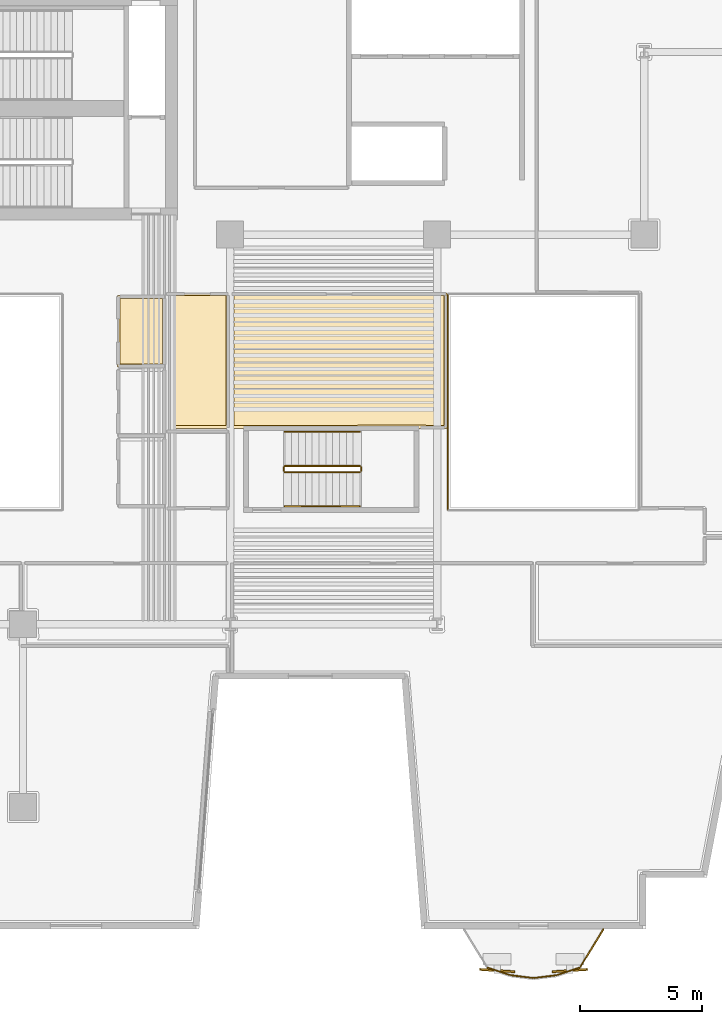
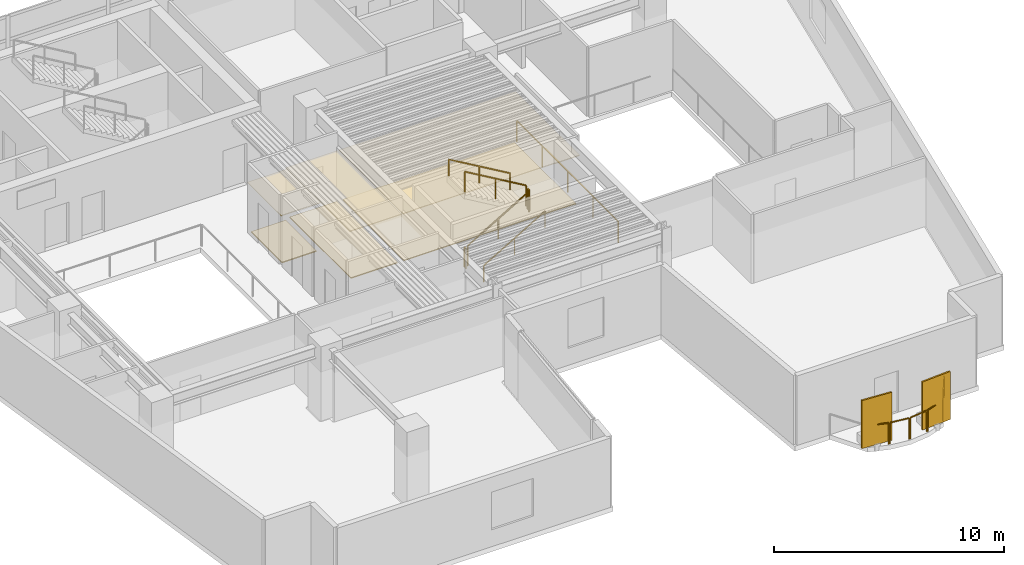
# One storey, part 10 of 12: 12 railings, 6 coverings, 2 shading devices.
"""IFC4 building model written with IfcOpenShell, lengths in metres."""

from ifc_helpers import new_model, si_unit, direction, frame, origin, origin_2d, place, context, subcontext, project, spatial, polyline, rectangle, outline, extrude, material, layer, layer_set, type_object, element, save


model = new_model("IFC4")

# Units and contexts
model_context = context("Model", 3, precision=1e-05, world=origin(), true_north=direction((0.0, 1.0)))
body_context = subcontext(model_context, "Body", "Model", "MODEL_VIEW")
ifc_project = project(units=[si_unit("LENGTHUNIT", "METRE"), si_unit("AREAUNIT", "SQUARE_METRE"), si_unit("VOLUMEUNIT", "CUBIC_METRE"), si_unit("PLANEANGLEUNIT", "RADIAN"), si_unit("MASSUNIT", "GRAM", prefix="KILO")], contexts=[model_context])

# Site, building, storey
site_placement = place(None, origin())
site = spatial("IfcSite", under=ifc_project, at=site_placement, CompositionType="ELEMENT")
building_placement = place(site_placement, origin())
building = spatial("IfcBuilding", under=site, at=building_placement, Name="Caeloran Harvest Quay", CompositionType="ELEMENT")
storey_placement = place(building_placement, frame((0.0, 0.0, 119.300048828125)))
storey = spatial("IfcBuildingStorey", under=building, at=storey_placement, Name="L27", CompositionType="ELEMENT", Elevation=119.300048828125)

# Coverings
ifc_material_1 = material(Name="Perforated Mineral-Fibre Acoustic Ceiling Tile", Category="ceiling")
ifc_layer_1 = layer(ifc_material_1, 0.0400390625, Name="Perforated Mineral-Fibre Acoustic Ceiling Tile")
ifc_layer_set_1 = layer_set([ifc_layer_1], Name="Perforated Mineral-Fibre Acoustic Ceiling Tile")
covering_type_1 = type_object("IfcCoveringType", Name="COV-CEILING-ACOUSTIC", PredefinedType="CEILING", material=ifc_layer_set_1)
covering_1_placement = place(storey_placement, frame((0.0, 0.0, 2.599853515625)))
element("IfcCovering", 1, at=covering_1_placement, inside=storey, type_object=covering_type_1, Name="L27 Male Washroom WC Acoustic Ceiling", PredefinedType="CEILING", context=body_context, shape_type="SweptSolid", body=[
    extrude(outline(polyline([(22.840087890625, 25.56005859375), (20.8701171875, 25.56005859375), (20.8701171875, 28.489990234375), (22.840087890625, 28.489990234375), (22.840087890625, 25.56005859375)])), origin(), (0.0, 0.0, 1.0), 0.0400390625),
])
covering_2_placement = place(storey_placement, frame((0.0, 0.0, 2.599853515625)))
element("IfcCovering", 2, at=covering_2_placement, inside=storey, type_object=covering_type_1, Name="Instrument Calibration Laboratory Acoustic Ceiling", PredefinedType="CEILING", context=body_context, shape_type="SweptSolid", body=[
    extrude(outline(polyline([(22.8701171875, 28.512939453125), (22.85009765625, 28.52001953125), (22.85009765625, 28.610107421875), (25.4599609375, 28.610107421875), (25.4599609375, 23.0400390625), (22.8701171875, 23.0400390625), (22.8701171875, 28.512939453125)])), origin(), (0.0, 0.0, 1.0), 0.0400390625),
])
covering_3_placement = place(storey_placement, frame((0.0, 0.0, 2.599853515625)))
element("IfcCovering", 3, at=covering_3_placement, inside=storey, type_object=covering_type_1, Name="Agri-Robotics Open Research Workspace 8 Acoustic Ceiling", PredefinedType="CEILING", context=body_context, shape_type="SweptSolid", body=[
    extrude(outline(polyline([(26.13720703125, 23.06005859375), (26.1298828125, 23.0400390625), (25.5400390625, 23.0400390625), (25.5400390625, 28.610107421875), (34.409912109375, 28.610107421875), (34.409912109375, 23.0400390625), (33.170166015625, 23.0400390625), (33.162841796875, 23.06005859375), (26.13720703125, 23.06005859375)])), origin(), (0.0, 0.0, 1.0), 0.0400390625),
])
ifc_material_2 = material(Name="Calcium-Sulphate Raised Access Floor and Terrazzo Finish", Category="flooring")
ifc_layer_2 = layer(ifc_material_2, 0.050048828125, Name="Calcium-Sulphate Raised Access Floor and Terrazzo Finish")
ifc_layer_set_2 = layer_set([ifc_layer_2], Name="Calcium-Sulphate Raised Access Floor and Terrazzo Finish")
covering_type_2 = type_object("IfcCoveringType", Name="COV-FLOOR-RAISED", PredefinedType="FLOORING", material=ifc_layer_set_2)
covering_4_placement = place(storey_placement, origin())
element("IfcCovering", 4, at=covering_4_placement, inside=storey, type_object=covering_type_2, Name="L27 Male Washroom WC Raised Finish Flooring", PredefinedType="FLOORING", context=body_context, shape_type="SweptSolid", body=[
    extrude(outline(polyline([(22.719970703125, 25.679931640625), (20.989990234375, 25.679931640625), (20.989990234375, 28.3701171875), (22.719970703125, 28.3701171875), (22.719970703125, 25.679931640625)])), origin(), (0.0, 0.0, 1.0), 0.050048828125),
])
covering_5_placement = place(storey_placement, origin())
element("IfcCovering", 5, at=covering_5_placement, inside=storey, type_object=covering_type_2, Name="Instrument Calibration Laboratory Raised Finish Flooring", PredefinedType="FLOORING", context=body_context, shape_type="SweptSolid", body=[
    extrude(outline(polyline([(22.989990234375, 28.489990234375), (25.340087890625, 28.489990234375), (25.340087890625, 23.159912109375), (22.989990234375, 23.159912109375), (22.989990234375, 28.489990234375)])), origin(), (0.0, 0.0, 1.0), 0.050048828125),
])
covering_6_placement = place(storey_placement, origin())
element("IfcCovering", 6, at=covering_6_placement, inside=storey, type_object=covering_type_2, Name="Agri-Robotics Open Research Workspace 8 Raised Finish Flooring", PredefinedType="FLOORING", context=body_context, shape_type="SweptSolid", body=[
    extrude(outline(polyline([(33.169921875, 23.179931640625), (25.659912109375, 23.159912109375), (25.659912109375, 28.489990234375), (34.2900390625, 28.489990234375), (34.2900390625, 23.159912109375), (33.169921875, 23.179931640625)])), origin(), (0.0, 0.0, 1.0), 0.050048828125),
])

# Railings
ifc_material_3 = material(Name="Powder-Coated Steel Post and Laminated Glass Guardrail", Category="steel")
ifc_layer_3 = layer(ifc_material_3, 0.06005859375, Name="Powder-Coated Steel Post and Laminated Glass Guardrail")
ifc_layer_set_3 = layer_set([ifc_layer_3], Name="Powder-Coated Steel Post and Laminated Glass Guardrail")
railing_type_1 = type_object("IfcRailingType", Name="GUARD-ATRIUM-1150", PredefinedType="GUARDRAIL", material=ifc_layer_set_3)
railing_1_placement = place(storey_placement, frame((34.429931640625, 28.5380859375, 0.0)))
element("IfcRailing", 7, at=railing_1_placement, inside=storey, type_object=railing_type_1, Name="L27 East Botanical Lightwell Guardrail Seg 4", PredefinedType="GUARDRAIL", context=body_context, shape_type="SweptSolid", body=[
    extrude(rectangle(XDim=0.048095703125, YDim=0.048095703125, at=origin_2d()), frame((0.0, 0.0, 1.1259765625), z_axis=(0.0, -1.0, 0.0), x_axis=(1.0, 0.0, 0.0)), (0.0, 0.0, 1.0), 8.826171875),
    extrude(rectangle(XDim=0.0419921875, YDim=0.0419921875, at=origin_2d()), origin(), (0.0, 0.0, 1.0), 1.101806640625),
    extrude(rectangle(XDim=0.0419921875, YDim=0.0419921875, at=origin_2d()), frame((0.0, -2.20654296875, 0.0)), (0.0, 0.0, 1.0), 1.101806640625),
    extrude(rectangle(XDim=0.0419921875, YDim=0.0419921875, at=origin_2d()), frame((0.0, -4.4130859375, 0.0)), (0.0, 0.0, 1.0), 1.101806640625),
    extrude(rectangle(XDim=0.0419921875, YDim=0.0419921875, at=origin_2d()), frame((0.0, -6.61962890625, 0.0)), (0.0, 0.0, 1.0), 1.101806640625),
    extrude(rectangle(XDim=0.0419921875, YDim=0.0419921875, at=origin_2d()), frame((0.0, -8.826171875, 0.0)), (0.0, 0.0, 1.0), 1.101806640625),
])
ifc_material_4 = material(Name="Laminated Safety Glass and Stainless Steel 316", Category="steel")
ifc_layer_4 = layer(ifc_material_4, 0.06005859375, Name="Laminated Safety Glass and Stainless Steel 316")
ifc_layer_set_4 = layer_set([ifc_layer_4], Name="Laminated Safety Glass and Stainless Steel 316")
railing_type_2 = type_object("IfcRailingType", Name="GUARD-BALUSTRADE-1150", PredefinedType="BALUSTRADE", material=ifc_layer_set_4)
railing_2_placement = place(storey_placement, frame((40.825927734375, 2.47998046875, 0.0)))
element("IfcRailing", 8, at=railing_2_placement, inside=storey, type_object=railing_type_2, Name="L27 Planted Balcony Perimeter Balustrade Guard Seg 1", PredefinedType="BALUSTRADE", context=body_context, shape_type="SweptSolid", body=[
    extrude(rectangle(XDim=0.048095703125, YDim=0.048095703125, at=origin_2d()), frame((0.0, 0.0, 1.1259765625), z_axis=(-0.522460171992, -0.852663690257, 0.0), x_axis=(0.852663690257, -0.522460171992, 0.0)), (0.0, 0.0, 1.0), 1.798095703125),
    extrude(rectangle(XDim=0.0419921875, YDim=0.0419921875, at=origin_2d()), origin(), (0.0, 0.0, 1.0), 1.101806640625),
    extrude(rectangle(XDim=0.0419921875, YDim=0.0419921875, at=origin_2d()), frame((-0.939453125, -1.533203125, 0.0)), (0.0, 0.0, 1.0), 1.101806640625),
])
railing_3_placement = place(storey_placement, frame((39.839599609375, 0.9091796875, 0.0)))
element("IfcRailing", 9, at=railing_3_placement, inside=storey, type_object=railing_type_2, Name="L27 Planted Balcony Perimeter Balustrade Guard Seg 2", PredefinedType="BALUSTRADE", context=body_context, shape_type="SweptSolid", body=[
    extrude(rectangle(XDim=0.048095703125, YDim=0.048095703125, at=origin_2d()), frame((0.0, 0.0, 1.1259765625), z_axis=(-0.947644813733, -0.31932633309, 0.0), x_axis=(0.31932633309, -0.947644813733, 0.0)), (0.0, 0.0, 1.0), 0.945068359375),
    extrude(rectangle(XDim=0.0419921875, YDim=0.0419921875, at=origin_2d()), origin(), (0.0, 0.0, 1.0), 1.101806640625),
    extrude(rectangle(XDim=0.0419921875, YDim=0.0419921875, at=origin_2d()), frame((-0.8955078125, -0.3017578125, 0.0)), (0.0, 0.0, 1.0), 1.101806640625),
])
railing_4_placement = place(storey_placement, frame((38.8818359375, 0.59326171875, 0.0)))
element("IfcRailing", 10, at=railing_4_placement, inside=storey, type_object=railing_type_2, Name="L27 Planted Balcony Perimeter Balustrade Guard Seg 3", PredefinedType="BALUSTRADE", context=body_context, shape_type="SweptSolid", body=[
    extrude(rectangle(XDim=0.048095703125, YDim=0.048095703125, at=origin_2d()), frame((0.0, 0.0, 1.1259765625), z_axis=(-0.992444026778, -0.122698222129, 0.0), x_axis=(0.122698222129, -0.992444026778, 0.0)), (0.0, 0.0, 1.0), 0.8994140625),
    extrude(rectangle(XDim=0.0419921875, YDim=0.0419921875, at=origin_2d()), origin(), (0.0, 0.0, 1.0), 1.101806640625),
    extrude(rectangle(XDim=0.0419921875, YDim=0.0419921875, at=origin_2d()), frame((-0.892578125, -0.1103515625, 0.0)), (0.0, 0.0, 1.0), 1.101806640625),
])
railing_5_placement = place(storey_placement, frame((37.92578125, 0.48291015625, 0.0)))
element("IfcRailing", 11, at=railing_5_placement, inside=storey, type_object=railing_type_2, Name="L27 Planted Balcony Perimeter Balustrade Guard Seg 4", PredefinedType="BALUSTRADE", context=body_context, shape_type="SweptSolid", body=[
    extrude(rectangle(XDim=0.048095703125, YDim=0.048095703125, at=origin_2d()), frame((0.0, 0.0, 1.1259765625), z_axis=(-0.992444026778, 0.122698222129, 0.0), x_axis=(-0.122698222129, -0.992444026778, 0.0)), (0.0, 0.0, 1.0), 0.8994140625),
    extrude(rectangle(XDim=0.0419921875, YDim=0.0419921875, at=origin_2d()), origin(), (0.0, 0.0, 1.0), 1.101806640625),
    extrude(rectangle(XDim=0.0419921875, YDim=0.0419921875, at=origin_2d()), frame((-0.892578125, 0.1103515625, 0.0)), (0.0, 0.0, 1.0), 1.101806640625),
])
railing_6_placement = place(storey_placement, frame((36.970947265625, 0.607421875, 0.0)))
element("IfcRailing", 12, at=railing_6_placement, inside=storey, type_object=railing_type_2, Name="L27 Planted Balcony Perimeter Balustrade Guard Seg 5", PredefinedType="BALUSTRADE", context=body_context, shape_type="SweptSolid", body=[
    extrude(rectangle(XDim=0.048095703125, YDim=0.048095703125, at=origin_2d()), frame((0.0, 0.0, 1.1259765625), z_axis=(-0.947644813733, 0.31932633309, 0.0), x_axis=(-0.31932633309, -0.947644813733, 0.0)), (0.0, 0.0, 1.0), 0.945068359375),
    extrude(rectangle(XDim=0.0419921875, YDim=0.0419921875, at=origin_2d()), origin(), (0.0, 0.0, 1.0), 1.101806640625),
    extrude(rectangle(XDim=0.0419921875, YDim=0.0419921875, at=origin_2d()), frame((-0.8955078125, 0.3017578125, 0.0)), (0.0, 0.0, 1.0), 1.101806640625),
])

# Shading devices
ifc_material_5 = material(Name="3003-H14 Perforated Powder-Coated Aluminium", Category="aluminium")
shading_device_type = type_object("IfcShadingDeviceType", Name="SHADE-SCREEN-FOLDED", PredefinedType="USERDEFINED", material=ifc_material_5)
for number, where, z_axis, x_axis, name in (
    (13, (39.44921875, 0.78515625, 0.07470703125), (0.0, 0.0, 1.0), (0.997801468292, 0.0662739004, 0.0), "L27 Folded Facade Breathing Screen 1"),
    (14, (36.4658203125, 0.78515625, 0.07470703125), (0.0, 0.0, 1.0), (0.997801468292, -0.0662739004, 0.0), "L27 Folded Facade Breathing Screen 2"),
):
    element("IfcShadingDevice", number, at=place(storey_placement, frame(where, z_axis=z_axis, x_axis=x_axis)), inside=storey, type_object=shading_device_type, Name=name, ObjectType="SCREEN", PredefinedType="USERDEFINED", context=body_context, shape_type="SweptSolid", body=[
        extrude(rectangle(XDim=1.449951171875, YDim=0.080078125, at=origin_2d()), origin(), (0.0, 0.0, 1.0), 2.550048828125),
    ])

# Railings
ifc_material_6 = material(Name="Painted Steel Baluster and Top-Rail Stair Guard", Category="steel")
ifc_layer_5 = layer(ifc_material_6, 0.050048828125, Name="Painted Steel Baluster and Top-Rail Stair Guard")
ifc_layer_set_5 = layer_set([ifc_layer_5], Name="Painted Steel Baluster and Top-Rail Stair Guard")
railing_type_3 = type_object("IfcRailingType", Name="STAIR-GUARD-1100", PredefinedType="GUARDRAIL", material=ifc_layer_set_5)
railing_7_placement = place(storey_placement, frame((27.75, 21.25, 0.16455078125)))
element("IfcRailing", 15, at=railing_7_placement, inside=storey, type_object=railing_type_3, Name="L27 ST-W1 stair guard 1", PredefinedType="GUARDRAIL", context=body_context, shape_type="SweptSolid", body=[
    extrude(rectangle(XDim=0.048095703125, YDim=0.048095703125, at=origin_2d()), frame((0.0, 0.0, 1.076171875), z_axis=(0.862118610829, 0.0, 0.506706523406), x_axis=(0.0, 1.0, 0.0)), (0.0, 0.0, 1.0), 3.57275390625),
    extrude(rectangle(XDim=0.0419921875, YDim=0.0419921875, at=origin_2d()), origin(), (0.0, 0.0, 1.0), 1.052001953125),
    extrude(rectangle(XDim=0.0419921875, YDim=0.0419921875, at=origin_2d()), frame((1.5400390625, 0.0, 0.9052734375)), (0.0, 0.0, 1.0), 1.052001953125),
    extrude(rectangle(XDim=0.0419921875, YDim=0.0419921875, at=origin_2d()), frame((3.080078125, 0.0, 1.810302734375)), (0.0, 0.0, 1.0), 1.052001953125),
])
railing_8_placement = place(storey_placement, frame((30.8798828125, 21.300048828125, 1.974853515625)))
element("IfcRailing", 16, at=railing_8_placement, inside=storey, type_object=railing_type_3, Name="L27 ST-W1 stair guard 2", PredefinedType="GUARDRAIL", context=body_context, shape_type="SweptSolid", body=[
    extrude(rectangle(XDim=0.048095703125, YDim=0.048095703125, at=origin_2d()), frame((0.0, 0.0, 1.076171875), z_axis=(0.0, 1.0, 0.0), x_axis=(-1.0, 0.0, 0.0)), (0.0, 0.0, 1.0), 0.14990234375),
    extrude(rectangle(XDim=0.0419921875, YDim=0.0419921875, at=origin_2d()), origin(), (0.0, 0.0, 1.0), 1.052001953125),
    extrude(rectangle(XDim=0.0419921875, YDim=0.0419921875, at=origin_2d()), frame((0.0, 0.14990234375, 0.0)), (0.0, 0.0, 1.0), 1.052001953125),
])
railing_9_placement = place(storey_placement, frame((30.830078125, 21.5, 2.1396484375)))
element("IfcRailing", 17, at=railing_9_placement, inside=storey, type_object=railing_type_3, Name="L27 ST-W1 stair guard 3", PredefinedType="GUARDRAIL", context=body_context, shape_type="SweptSolid", body=[
    extrude(rectangle(XDim=0.048095703125, YDim=0.048095703125, at=origin_2d()), frame((0.0, 0.0, 1.076171875), z_axis=(-0.862118610829, 0.0, 0.506706523406), x_axis=(0.0, -1.0, 0.0)), (0.0, 0.0, 1.0), 3.57275390625),
    extrude(rectangle(XDim=0.0419921875, YDim=0.0419921875, at=origin_2d()), origin(), (0.0, 0.0, 1.0), 1.052001953125),
    extrude(rectangle(XDim=0.0419921875, YDim=0.0419921875, at=origin_2d()), frame((-1.5400390625, 0.0, 0.9052734375)), (0.0, 0.0, 1.0), 1.052001953125),
    extrude(rectangle(XDim=0.0419921875, YDim=0.0419921875, at=origin_2d()), frame((-3.080078125, 0.0, 1.810302734375)), (0.0, 0.0, 1.0), 1.052001953125),
])
railing_10_placement = place(storey_placement, frame((27.699951171875, 21.300048828125, 0.0)))
element("IfcRailing", 18, at=railing_10_placement, inside=storey, type_object=railing_type_3, Name="L27 ST-W1 stair guard 4", PredefinedType="GUARDRAIL", context=body_context, shape_type="SweptSolid", body=[
    extrude(rectangle(XDim=0.048095703125, YDim=0.048095703125, at=origin_2d()), frame((0.0, 0.0, 1.076171875), z_axis=(0.0, 1.0, 0.0), x_axis=(-1.0, 0.0, 0.0)), (0.0, 0.0, 1.0), 0.14990234375),
    extrude(rectangle(XDim=0.0419921875, YDim=0.0419921875, at=origin_2d()), origin(), (0.0, 0.0, 1.0), 1.052001953125),
    extrude(rectangle(XDim=0.0419921875, YDim=0.0419921875, at=origin_2d()), frame((0.0, 0.14990234375, 0.0)), (0.0, 0.0, 1.0), 1.052001953125),
])
ifc_material_7 = material(Name="Brushed Stainless Steel Grade 304", Category="steel")
ifc_layer_6 = layer(ifc_material_7, 0.050048828125, Name="Brushed Stainless Steel Grade 304")
ifc_layer_set_6 = layer_set([ifc_layer_6], Name="Brushed Stainless Steel Grade 304")
railing_type_4 = type_object("IfcRailingType", Name="STAIR-HANDRAIL-900", PredefinedType="HANDRAIL", material=ifc_layer_set_6)
railing_11_placement = place(storey_placement, frame((27.75, 19.85009765625, 0.16455078125)))
element("IfcRailing", 19, at=railing_11_placement, inside=storey, type_object=railing_type_4, Name="L27 ST-W1 stair handrail 1", PredefinedType="HANDRAIL", context=body_context, shape_type="SweptSolid", body=[
    extrude(rectangle(XDim=0.048095703125, YDim=0.048095703125, at=origin_2d()), frame((0.0, 0.0, 0.8759765625), z_axis=(0.862118610829, 0.0, 0.506706523406), x_axis=(0.0, 1.0, 0.0)), (0.0, 0.0, 1.0), 3.57275390625),
    extrude(rectangle(XDim=0.0419921875, YDim=0.0419921875, at=origin_2d()), origin(), (0.0, 0.0, 1.0), 0.851806640625),
    extrude(rectangle(XDim=0.0419921875, YDim=0.0419921875, at=origin_2d()), frame((1.5400390625, 0.0, 0.9052734375)), (0.0, 0.0, 1.0), 0.851806640625),
    extrude(rectangle(XDim=0.0419921875, YDim=0.0419921875, at=origin_2d()), frame((3.080078125, 0.0, 1.810302734375)), (0.0, 0.0, 1.0), 0.851806640625),
])
railing_12_placement = place(storey_placement, frame((30.830078125, 22.89990234375, 2.1396484375)))
element("IfcRailing", 20, at=railing_12_placement, inside=storey, type_object=railing_type_4, Name="L27 ST-W1 stair handrail 2", PredefinedType="HANDRAIL", context=body_context, shape_type="SweptSolid", body=[
    extrude(rectangle(XDim=0.048095703125, YDim=0.048095703125, at=origin_2d()), frame((0.0, 0.0, 0.8759765625), z_axis=(-0.862118610829, 0.0, 0.506706523406), x_axis=(0.0, -1.0, 0.0)), (0.0, 0.0, 1.0), 3.57275390625),
    extrude(rectangle(XDim=0.0419921875, YDim=0.0419921875, at=origin_2d()), origin(), (0.0, 0.0, 1.0), 0.851806640625),
    extrude(rectangle(XDim=0.0419921875, YDim=0.0419921875, at=origin_2d()), frame((-1.5400390625, 0.0, 0.9052734375)), (0.0, 0.0, 1.0), 0.851806640625),
    extrude(rectangle(XDim=0.0419921875, YDim=0.0419921875, at=origin_2d()), frame((-3.080078125, 0.0, 1.810302734375)), (0.0, 0.0, 1.0), 0.851806640625),
])

save(model, "model.ifc")
